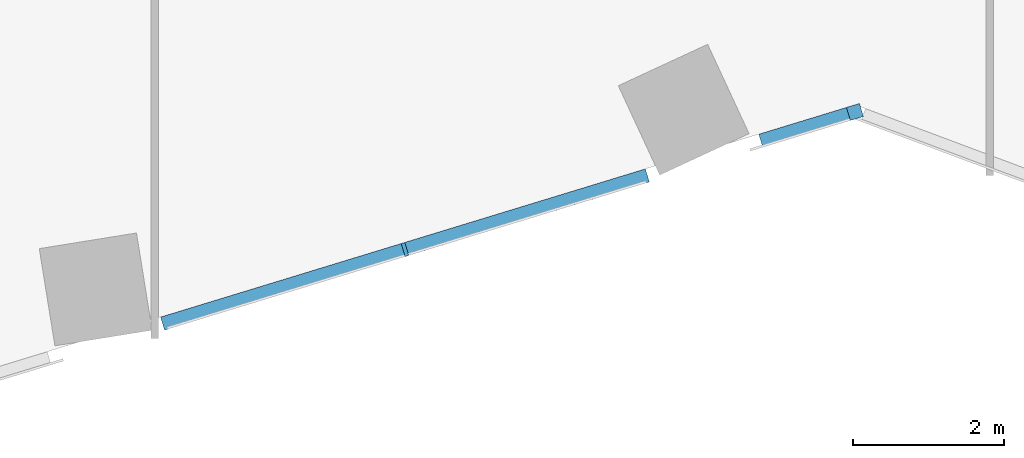
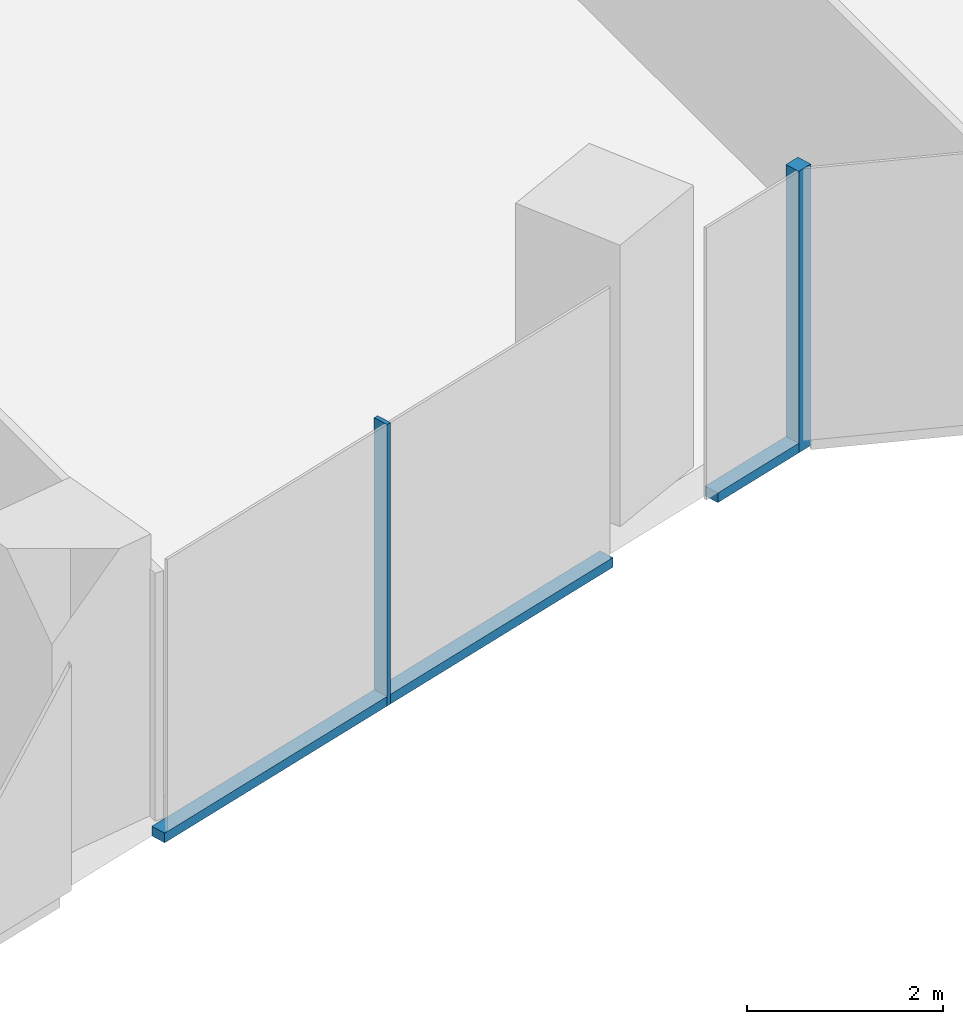
# One storey, part 6 of 31: 4 members, 1 element without a shape of its own.
"""IFC4 building model written with IfcOpenShell, lengths in metres."""

from ifc_helpers import new_model, si_unit, direction, frame, origin, origin_2d, place, context, subcontext, project, spatial, rectangle, extrude, material, material_profile, profile_set, type_object, element, aggregate, save


model = new_model("IFC4")

# Units and contexts
model_context = context("Model", 3, precision=1e-05, world=origin(), true_north=direction((0.0, 1.0)))
body_context = subcontext(model_context, "Body", "Model", "MODEL_VIEW")
ifc_project = project(units=[si_unit("LENGTHUNIT", "METRE"), si_unit("AREAUNIT", "SQUARE_METRE"), si_unit("VOLUMEUNIT", "CUBIC_METRE"), si_unit("PLANEANGLEUNIT", "RADIAN"), si_unit("MASSUNIT", "GRAM", prefix="KILO")], contexts=[model_context])

# Site, building, storey
site_placement = place(None, origin())
site = spatial("IfcSite", under=ifc_project, at=site_placement, CompositionType="ELEMENT")
building_placement = place(site_placement, origin())
building = spatial("IfcBuilding", under=site, at=building_placement, Name="Orlundy Tower", CompositionType="ELEMENT")
storey_placement = place(building_placement, frame((0.0, 0.0, 91.199951171875)))
storey = spatial("IfcBuildingStorey", under=building, at=storey_placement, Name="L22", CompositionType="ELEMENT", Elevation=91.199951171875)

# Curtain wall, members
ifc_material_1 = material(Name="Aluminium bronze anodised", Category="aluminium")
curtain_wall_type = type_object("IfcCurtainWallType", Name="CW1 wall", PredefinedType="NOTDEFINED", material=ifc_material_1)
curtain_wall_placement = place(storey_placement, origin())
curtain_wall = element("IfcCurtainWall", 1, at=curtain_wall_placement, inside=storey, type_object=curtain_wall_type, Name="CW1 run 017", PredefinedType="NOTDEFINED")
ifc_material_2 = material(Name="Aluminium bronze anodised", Category="aluminium")
ifc_material_profile_1 = material_profile(ifc_material_2, rectangle(XDim=0.179931640625, YDim=0.179931640625, at=origin_2d()), Name="CW1 corner post 180x180")
ifc_profile_set_1 = profile_set([ifc_material_profile_1], Name="Aluminium bronze anodised")
member_type_1 = type_object("IfcMemberType", Name="CW1 corner post 180x180", PredefinedType="MULLION", material=ifc_profile_set_1)
member_1_placement = place(storey_placement, frame((14.739013671875, -26.958984375, -0.39990234375), z_axis=(0.0, 0.0, 1.0), x_axis=(0.292318233228, -0.956321102205, 0.0)))
member_1 = element("IfcMember", 2, at=member_1_placement, type_object=member_type_1, Name="CW1 mullion 49", PredefinedType="MULLION", context=body_context, shape_type="SweptSolid", body=[
    extrude(rectangle(XDim=0.179931640625, YDim=0.179931640625, at=origin_2d()), origin(), (0.0, 0.0, 1.0), 3.5),
])
ifc_material_3 = material(Name="Aluminium bronze anodised", Category="aluminium")
ifc_material_profile_2 = material_profile(ifc_material_3, rectangle(XDim=0.179931640625, YDim=0.050048828125, at=origin_2d()), Name="CW1 mullion 50x180")
ifc_profile_set_2 = profile_set([ifc_material_profile_2], Name="Aluminium bronze anodised")
member_type_2 = type_object("IfcMemberType", Name="CW1 mullion 50x180", PredefinedType="MULLION", material=ifc_profile_set_2)
member_2_placement = place(storey_placement, frame((8.7978515625, -28.775146484375, -0.39990234375), z_axis=(0.0, 0.0, 1.0), x_axis=(0.292318233228, -0.956321102205, 0.0)))
member_2 = element("IfcMember", 3, at=member_2_placement, type_object=member_type_2, Name="CW1 mullion 50", PredefinedType="MULLION", context=body_context, shape_type="SweptSolid", body=[
    extrude(rectangle(XDim=0.179931640625, YDim=0.050048828125, at=origin_2d()), origin(), (0.0, 0.0, 1.0), 3.5),
])
ifc_material_4 = material(Name="Aluminium bronze anodised", Category="aluminium")
ifc_material_profile_3 = material_profile(ifc_material_4, rectangle(XDim=0.179931640625, YDim=0.1201171875, at=origin_2d()), Name="CW1 transom 180x120")
ifc_profile_set_3 = profile_set([ifc_material_profile_3], Name="Aluminium bronze anodised")
member_type_3 = type_object("IfcMemberType", Name="CW1 transom 180x120", PredefinedType="USERDEFINED", material=ifc_profile_set_3)
member_3_placement = place(storey_placement, frame((14.653076171875, -26.9853515625, -0.33984375), z_axis=(-0.956335900786, -0.292269815183, 0.0), x_axis=(0.292269815183, -0.956335900786, 0.0)))
member_3 = element("IfcMember", 4, at=member_3_placement, type_object=member_type_3, Name="CW1 transom", ObjectType="TRANSOM", PredefinedType="USERDEFINED", context=body_context, shape_type="SweptSolid", body=[
    extrude(rectangle(XDim=0.179931640625, YDim=0.1201171875, at=origin_2d()), origin(), (0.0, 0.0, 1.0), 1.20947265625),
])
member_4_placement = place(storey_placement, frame((11.998291015625, -27.796875, -0.33984375), z_axis=(-0.95632778436, -0.292296371619, 0.0), x_axis=(0.292296371619, -0.95632778436, 0.0)))
member_4 = element("IfcMember", 5, at=member_4_placement, type_object=member_type_3, Name="CW1 transom", ObjectType="TRANSOM", PredefinedType="USERDEFINED", context=body_context, shape_type="SweptSolid", body=[
    extrude(rectangle(XDim=0.179931640625, YDim=0.1201171875, at=origin_2d()), origin(), (0.0, 0.0, 1.0), 6.693603515625),
])
aggregate(curtain_wall, [member_1, member_2, member_3, member_4])

save(model, "model.ifc")
